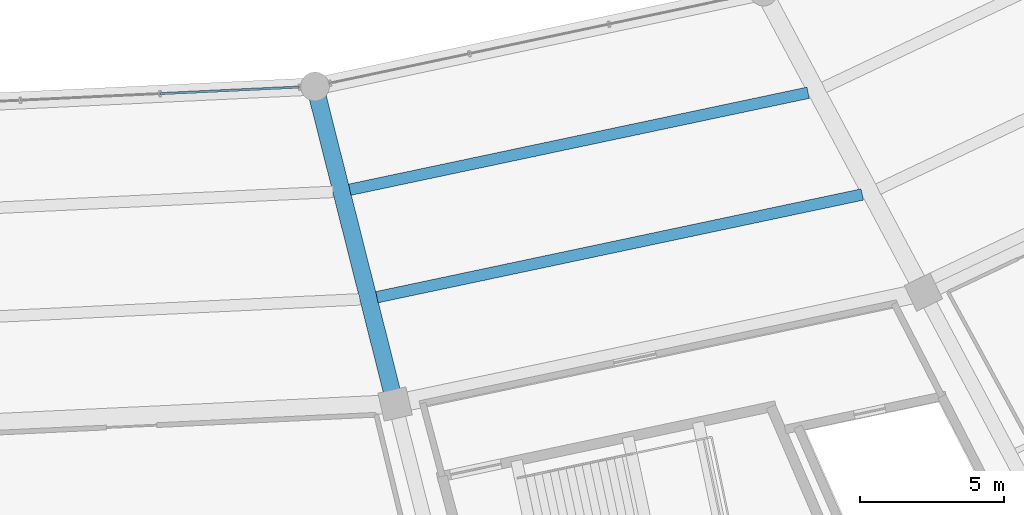
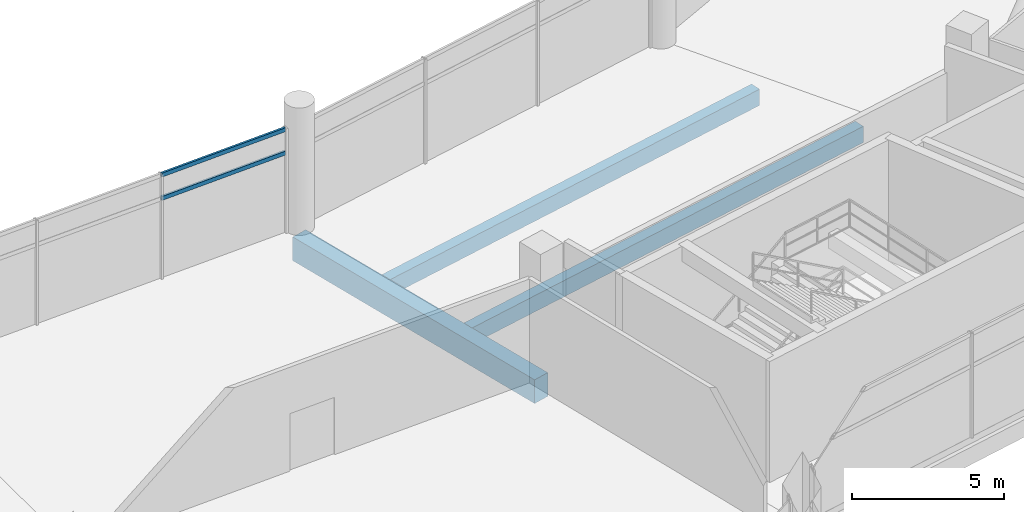
# One storey, part 32 of 184: 3 beams, 2 members, 1 element without a shape of its own.
"""IFC4 building model written with IfcOpenShell, lengths in metres."""

import ifcopenshell
import ifcopenshell.guid

model = None  # the IFC model being written
_history = None  # IfcOwnerHistory: only IFC2X3 demands one
_inside = {}  # id of a spatial element -> (the spatial element, [elements in it])
_under = {}  # id of a project, library or spatial element -> (it, [spatial elements below it])
_declared = {}  # id of a project -> (the project, [libraries it declares])
_typed = {}  # id of a type object -> (the type object, [elements of that type])
_made_of = {}  # id of a material, layer set ... -> (it, [elements and type objects made of it])


def new_model(schema):
    """Start an empty IFC model of exactly this schema.

    Asked for "IFC4X3", IfcOpenShell would pick the latest addendum, in which some entities
    have other attributes; the version numbers below select the first issue.
    IFC2X3 requires an IfcOwnerHistory on every rooted entity: one is made here for all.
    """
    global model, _history
    if schema == "IFC4X3":
        model = ifcopenshell.file(schema_version=(4, 3, 0, 0))
    else:
        model = ifcopenshell.file(schema=schema)
    _inside.clear()
    _under.clear()
    _declared.clear()
    _typed.clear()
    _made_of.clear()
    _history = None
    if model.schema == "IFC2X3":
        org = make("IfcOrganization", Name="unknown")
        user = make(
            "IfcPersonAndOrganization",
            ThePerson=make("IfcPerson", FamilyName="unknown"),
            TheOrganization=org,
        )
        app = make(
            "IfcApplication",
            ApplicationDeveloper=org,
            Version="unknown",
            ApplicationFullName="unknown",
            ApplicationIdentifier="unknown",
        )
        _history = make(
            "IfcOwnerHistory",
            OwningUser=user,
            OwningApplication=app,
            ChangeAction="ADDED",
            CreationDate=0,
        )
    return model


def make(cls, **values):
    """One entity of the class cls with the attributes given. An attribute that is None is left unset."""
    return model.create_entity(
        cls, **{name: value for name, value in values.items() if value is not None}
    )


def rooted(cls, **values):
    """An entity with a GlobalId (a new one), such as an element, a storey or a relation."""
    return make(cls, GlobalId=ifcopenshell.guid.new(), OwnerHistory=_history, **values)


def si_unit(unit_type, name, prefix=None):
    """IfcSIUnit, for example si_unit("LENGTHUNIT", "METRE", prefix="MILLI")."""
    return make("IfcSIUnit", UnitType=unit_type, Prefix=prefix, Name=name)


def assignment(units):
    """IfcUnitAssignment: the units of a project."""
    return None if units is None else make("IfcUnitAssignment", Units=units)


def point(xyz):
    """IfcCartesianPoint."""
    return None if xyz is None else make("IfcCartesianPoint", Coordinates=xyz)


def direction(xyz):
    """IfcDirection."""
    return None if xyz is None else make("IfcDirection", DirectionRatios=xyz)


def frame(location, z_axis=None, x_axis=None):
    """IfcAxis2Placement3D, a coordinate frame: its origin and axes. An axis left out is left unset."""
    return make(
        "IfcAxis2Placement3D",
        Location=point(location),
        Axis=direction(z_axis),
        RefDirection=direction(x_axis),
    )


def frame_2d(location, x_axis=None):
    """IfcAxis2Placement2D, a coordinate frame in the plane: its origin and x axis."""
    return make(
        "IfcAxis2Placement2D", Location=point(location), RefDirection=direction(x_axis)
    )


def origin():
    """The frame at (0, 0, 0) with its axes left unset."""
    return frame((0.0, 0.0, 0.0))


def origin_2d():
    """The frame at (0, 0) in the plane with its x axis left unset."""
    return frame_2d((0.0, 0.0))


def place(relative_to, where):
    """IfcLocalPlacement: puts the frame where relative to a parent placement (None: the world)."""
    return make(
        "IfcLocalPlacement", PlacementRelTo=relative_to, RelativePlacement=where
    )


def context(
    kind, dimensions, precision=None, world=None, true_north=None, identifier=None
):
    """IfcGeometricRepresentationContext, for example the 3D "Model" context."""
    return make(
        "IfcGeometricRepresentationContext",
        ContextIdentifier=identifier,
        ContextType=kind,
        CoordinateSpaceDimension=dimensions,
        Precision=precision,
        WorldCoordinateSystem=world,
        TrueNorth=true_north,
    )


def subcontext(parent, identifier, kind, view, scale=None):
    """IfcGeometricRepresentationSubContext, for example "Body" below "Model"."""
    return make(
        "IfcGeometricRepresentationSubContext",
        ContextIdentifier=identifier,
        ContextType=kind,
        ParentContext=parent,
        TargetScale=scale,
        TargetView=view,
    )


def project(units=None, contexts=None):
    """IfcProject with its units and contexts."""
    return rooted(
        "IfcProject",
        Name="project",
        RepresentationContexts=contexts,
        UnitsInContext=assignment(units),
    )


def spatial(cls, under=None, at=None, **own):
    """A site, building, storey or space (cls), placed at a placement, below another one or the project."""
    s = rooted(cls, ObjectPlacement=at, **own)
    if under is not None:
        _under.setdefault(under.id(), (under, []))[1].append(s)
    return s


def profile(cls, at=None, kind="AREA", **sizes):
    """A parametric profile (cls). Its sizes go by their IFC names, for example OverallWidth=200.0."""
    return make(cls, ProfileType=kind, Position=at, **sizes)


def rectangle(**sizes):
    """IfcRectangleProfileDef."""
    return profile("IfcRectangleProfileDef", **sizes)


def hollow_rectangle(**sizes):
    """IfcRectangleHollowProfileDef."""
    return profile("IfcRectangleHollowProfileDef", **sizes)


def extrude(swept, where, along, depth):
    """IfcExtrudedAreaSolid: the profile swept, set in the frame where, extruded along a direction by depth."""
    return make(
        "IfcExtrudedAreaSolid",
        SweptArea=swept,
        Position=where,
        ExtrudedDirection=direction(along),
        Depth=depth,
    )


def shape(context_of_items, identifier, shape_type, items):
    """IfcShapeRepresentation: the items that make up one representation, for example the "Body"."""
    return make(
        "IfcShapeRepresentation",
        ContextOfItems=context_of_items,
        RepresentationIdentifier=identifier,
        RepresentationType=shape_type,
        Items=items,
    )


def material(Name=None, Category=None):
    """IfcMaterial."""
    return make("IfcMaterial", Name=Name, Category=Category)


def layer(
    of_material, thickness, ventilated=None, Name=None, Category=None, Priority=None
):
    """IfcMaterialLayer: one layer of a wall or slab, of a material (None: an air gap)."""
    return make(
        "IfcMaterialLayer",
        Material=of_material,
        LayerThickness=thickness,
        IsVentilated=ventilated,
        Name=Name,
        Category=Category,
        Priority=Priority,
    )


def layer_set(layers, Name=None):
    """IfcMaterialLayerSet."""
    return make("IfcMaterialLayerSet", MaterialLayers=layers, LayerSetName=Name)


def material_profile(
    of_material, cross_section, Name=None, Category=None, Priority=None
):
    """IfcMaterialProfile: a cross section and its material."""
    return make(
        "IfcMaterialProfile",
        Name=Name,
        Material=of_material,
        Profile=cross_section,
        Priority=Priority,
        Category=Category,
    )


def profile_set(profiles, Name=None, composite=None):
    """IfcMaterialProfileSet."""
    return make(
        "IfcMaterialProfileSet",
        Name=Name,
        MaterialProfiles=profiles,
        CompositeProfile=composite,
    )


def made_of(thing, what):
    """Note that an element or type object is made of a material, layer set ...; save() writes the relation."""
    if what is not None:
        _made_of.setdefault(what.id(), (what, []))[1].append(thing)
    return thing


def type_object(cls, material=None, **own):
    """A type object (cls), such as IfcWallType, which elements share."""
    return made_of(rooted(cls, **own), material)


def element(
    cls,
    number,
    at=None,
    inside=None,
    cuts=None,
    type_object=None,
    material=None,
    context=None,
    identifier="Body",
    shape_type=None,
    held_by="IfcProductDefinitionShape",
    body=None,
    shapes=None,
    **own,
):
    """One element of the class cls, such as IfcWall. Its Tag is "e" and its number.

    at: its placement. inside: the storey or other place that contains it. cuts: it is an
    opening in that element (IfcRelVoidsElement). A single representation is given by context,
    identifier, shape_type and body (its items); several are given by shapes. held_by: the class
    of the entity that holds the representations. save() writes the other relations.
    """
    e = rooted(cls, Tag="e%d" % number, ObjectPlacement=at, **own)
    if body is not None:
        shapes = [shape(context, identifier, shape_type, body)]
    if shapes is not None:
        e.Representation = make(held_by, Representations=shapes)
    if inside is not None:
        _inside.setdefault(inside.id(), (inside, []))[1].append(e)
    if cuts is not None:
        rooted(
            "IfcRelVoidsElement", RelatingBuildingElement=cuts, RelatedOpeningElement=e
        )
    if type_object is not None:
        _typed.setdefault(type_object.id(), (type_object, []))[1].append(e)
    return made_of(e, material)


def aggregate(whole, parts):
    """IfcRelAggregates: a whole, such as a stair, and the parts it consists of."""
    return rooted("IfcRelAggregates", RelatingObject=whole, RelatedObjects=parts)


def save(model, path):
    """Write the relations noted so far, then the file.

    IfcRelAggregates (storeys below a building ...), IfcRelContainedInSpatialStructure (elements
    in a storey), IfcRelDefinesByType, IfcRelAssociatesMaterial and IfcRelDeclares: one each for
    every whole, place, type object, material and project.
    """
    for whole, parts in _under.values():
        aggregate(whole, parts)
    for where, things in _inside.values():
        rooted(
            "IfcRelContainedInSpatialStructure",
            RelatedElements=things,
            RelatingStructure=where,
        )
    for kind, things in _typed.values():
        rooted("IfcRelDefinesByType", RelatedObjects=things, RelatingType=kind)
    for what, things in _made_of.values():
        rooted("IfcRelAssociatesMaterial", RelatedObjects=things, RelatingMaterial=what)
    for by, libraries in _declared.values():
        rooted("IfcRelDeclares", RelatingContext=by, RelatedDefinitions=libraries)
    model.write(path)


model = new_model("IFC4")

# Units and contexts
model_context = context("Model", 3, precision=1e-05, world=origin(), true_north=direction((0.0, 1.0)))
body_context = subcontext(model_context, "Body", "Model", "MODEL_VIEW")
ifc_project = project(units=[si_unit("LENGTHUNIT", "METRE"), si_unit("AREAUNIT", "SQUARE_METRE"), si_unit("VOLUMEUNIT", "CUBIC_METRE"), si_unit("PLANEANGLEUNIT", "RADIAN"), si_unit("MASSUNIT", "GRAM", prefix="KILO")], contexts=[model_context])

# Site, building, storey
site_placement = place(None, origin())
site = spatial("IfcSite", under=ifc_project, at=site_placement, CompositionType="ELEMENT")
building_placement = place(site_placement, origin())
building = spatial("IfcBuilding", under=site, at=building_placement, Name="Kazemori Nagisa Stadium", CompositionType="ELEMENT")
storey_placement = place(building_placement, frame((0.0, 0.0, 10.5400390625)))
storey = spatial("IfcBuildingStorey", under=building, at=storey_placement, Name="L02", CompositionType="ELEMENT", Elevation=10.5400390625)

# Beams
ifc_material_1 = material(Name="Concrete C40/50 (Fc42)", Category="concrete")
ifc_material_profile_1 = material_profile(ifc_material_1, rectangle(XDim=0.60009765625, YDim=0.949951171875, at=origin_2d()), Name="RC-BM-600x950")
ifc_profile_set_1 = profile_set([ifc_material_profile_1], Name="Concrete C40/50 (Fc42)")
beam_type_1 = type_object("IfcBeamType", Name="Beam_BG-RC600X950", PredefinedType="BEAM", material=ifc_profile_set_1)
beam_1_placement = place(storey_placement, frame((138.64208984375, 39.959716796875, -0.735107421875), z_axis=(0.244481205955, -0.969654031052, 0.0), x_axis=(0.969654031052, 0.244481205955, 0.0)))
element("IfcBeam", 1, at=beam_1_placement, inside=storey, type_object=beam_type_1, Name="Radial girder BG-RC600X950 L02 R1-R2-23", PredefinedType="BEAM", context=body_context, shape_type="SweptSolid", body=[
    extrude(rectangle(XDim=0.60009765625, YDim=0.949951171875, at=origin_2d()), origin(), (0.0, 0.0, 1.0), 11.39404296875),
])
ifc_material_profile_2 = material_profile(ifc_material_1, rectangle(XDim=0.39990234375, YDim=0.64990234375, at=origin_2d()), Name="RC-BM-400x650")
ifc_profile_set_2 = profile_set([ifc_material_profile_2], Name="Concrete C40/50 (Fc42)")
beam_type_2 = type_object("IfcBeamType", Name="Beam_BJ-RC400X650", PredefinedType="JOIST", material=ifc_profile_set_2)
beam_2_placement = place(storey_placement, frame((139.852294921875, 36.3662109375, -0.5849609375), z_axis=(0.978345737153, 0.206977338361, 0.0), x_axis=(-0.206977338361, 0.978345737153, 0.0)))
element("IfcBeam", 2, at=beam_2_placement, inside=storey, type_object=beam_type_2, Name="Concourse joist BJ-RC400X650 L02 B23-1", PredefinedType="JOIST", context=body_context, shape_type="SweptSolid", body=[
    extrude(rectangle(XDim=0.39990234375, YDim=0.64990234375, at=origin_2d()), origin(), (0.0, 0.0, 1.0), 16.30029296875),
])
beam_3_placement = place(storey_placement, frame((140.794921875, 32.626708984375, -0.5849609375), z_axis=(0.97834325925, 0.206989050628, 0.0), x_axis=(-0.206989050628, 0.97834325925, 0.0)))
element("IfcBeam", 3, at=beam_3_placement, inside=storey, type_object=beam_type_2, Name="Concourse joist BJ-RC400X650 L02 B23-2", PredefinedType="JOIST", context=body_context, shape_type="SweptSolid", body=[
    extrude(rectangle(XDim=0.39990234375, YDim=0.64990234375, at=origin_2d()), origin(), (0.0, 0.0, 1.0), 17.26171875),
])

# Curtain wall, members
ifc_material_2 = material(Name="Anodised aluminium 6063-T5", Category="aluminium")
ifc_layer = layer(ifc_material_2, 0.2099609375, Name="Anodised aluminium 6063-T5", Category="aluminium")
ifc_layer_set = layer_set([ifc_layer], Name="Anodised aluminium 6063-T5")
curtain_wall_type = type_object("IfcCurtainWallType", Name="CW_L02B_73", PredefinedType="USERDEFINED", material=ifc_layer_set)
curtain_wall_placement = place(storey_placement, origin())
curtain_wall = element("IfcCurtainWall", 4, at=curtain_wall_placement, inside=storey, type_object=curtain_wall_type, Name="Unitised curtain wall CW-L02B-73 L02", ObjectType="UNITISED CURTAIN WALL", PredefinedType="USERDEFINED")
ifc_material_3 = material(Name="Aluminium 6063-T5 anodised", Category="aluminium")
ifc_material_profile_3 = material_profile(ifc_material_3, hollow_rectangle(XDim=0.080078125, YDim=0.159912109375, WallThickness=0.00390625, at=origin_2d()), Name="ALU-TRAN-80x160x4")
ifc_profile_set_3 = profile_set([ifc_material_profile_3], Name="Aluminium 6063-T5 anodised")
member_type = type_object("IfcMemberType", Name="Transom_T02", PredefinedType="USERDEFINED", material=ifc_profile_set_3)
member_1_placement = place(storey_placement, frame((133.27001953125, 39.70556640625, 3.184326171875), z_axis=(0.998884227355, 0.047226055748, 0.0), x_axis=(-0.047226055748, 0.998884227355, 0.0)))
member_1 = element("IfcMember", 5, at=member_1_placement, type_object=member_type, Name="Curtain wall transom CW-L02B-73-T3-mid", ObjectType="TRANSOM", PredefinedType="USERDEFINED", context=body_context, shape_type="SweptSolid", body=[
    extrude(hollow_rectangle(XDim=0.080078125, YDim=0.159912109375, WallThickness=0.00390625, at=origin_2d()), origin(), (0.0, 0.0, 1.0), 4.8232421875),
])
member_2_placement = place(storey_placement, frame((133.27001953125, 39.70556640625, 4.119873046875), z_axis=(0.998884227355, 0.047226055748, 0.0), x_axis=(-0.047226055748, 0.998884227355, 0.0)))
member_2 = element("IfcMember", 6, at=member_2_placement, type_object=member_type, Name="Curtain wall transom CW-L02B-73-T3-head", ObjectType="TRANSOM", PredefinedType="USERDEFINED", context=body_context, shape_type="SweptSolid", body=[
    extrude(hollow_rectangle(XDim=0.080078125, YDim=0.159912109375, WallThickness=0.00390625, at=origin_2d()), origin(), (0.0, 0.0, 1.0), 4.8232421875),
])
aggregate(curtain_wall, [member_1, member_2])

save(model, "model.ifc")
